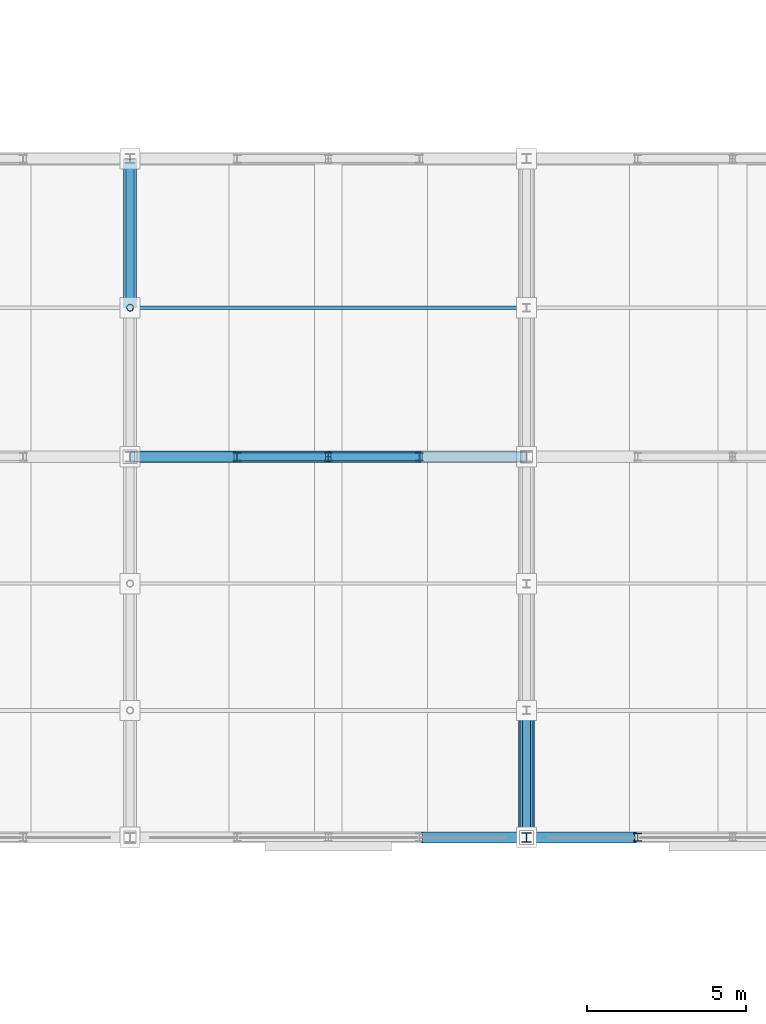
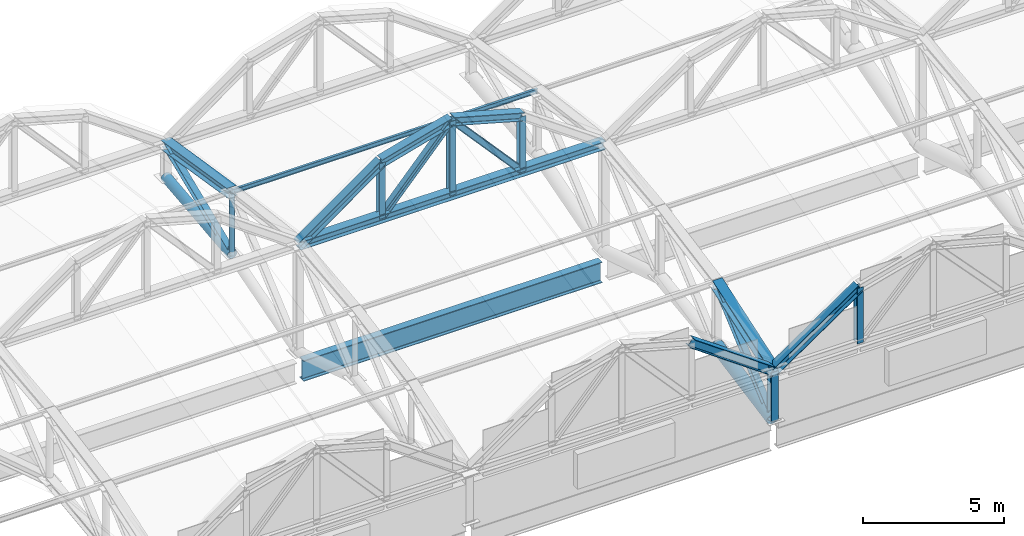
# One storey, part 21 of 117: 21 members, 1 beam.
"""IFC4 building model written with IfcOpenShell, lengths in metres."""

from ifc_helpers import new_model, si_unit, direction, frame, origin, origin_2d, place, context, subcontext, project, spatial, hollow_circle, i_section, extrude, material, material_profile, profile_set, type_object, element, save


model = new_model("IFC4")

# Units and contexts
model_context = context("Model", 3, precision=1e-05, world=origin(), true_north=direction((0.0, 1.0)))
body_context = subcontext(model_context, "Body", "Model", "MODEL_VIEW")
ifc_project = project(units=[si_unit("LENGTHUNIT", "METRE"), si_unit("AREAUNIT", "SQUARE_METRE"), si_unit("VOLUMEUNIT", "CUBIC_METRE"), si_unit("PLANEANGLEUNIT", "RADIAN"), si_unit("MASSUNIT", "GRAM", prefix="KILO")], contexts=[model_context])

# Site, building, storey
site_placement = place(None, origin())
site = spatial("IfcSite", under=ifc_project, at=site_placement, CompositionType="ELEMENT")
building_placement = place(site_placement, origin())
building = spatial("IfcBuilding", under=site, at=building_placement, Name="Kazenohara Klinker Stadium", CompositionType="ELEMENT")
storey_placement = place(building_placement, frame((0.0, 0.0, 31.199951171875)))
storey = spatial("IfcBuildingStorey", under=building, at=storey_placement, Name="RF", CompositionType="ELEMENT", Elevation=31.199951171875)

# Members
ifc_material = material(Name="Steel S355", Category="steel")
ifc_material_profile_1 = material_profile(ifc_material, i_section(OverallWidth=0.25, OverallDepth=0.25, WebThickness=0.009033203125, FlangeThickness=0.013916015625, FilletRadius=0.012939453125, at=origin_2d()), Name="H-250x250x9x14")
ifc_profile_set_1 = profile_set([ifc_material_profile_1], Name="Steel S355")
member_type_1 = type_object("IfcMemberType", Name="MEM-BRC02", PredefinedType="BRACE", material=ifc_profile_set_1)
member_1_placement = place(storey_placement, frame((86.5, 40.699951171875, 1.35009765625), z_axis=(0.0, 0.923659284192, 0.383214726655), x_axis=(-1.0, 0.0, 0.0)))
element("IfcMember", 1, at=member_1_placement, inside=storey, type_object=member_type_1, Name="ROOF TRUSS RT-S03 web diagonal 5", PredefinedType="BRACE", context=body_context, shape_type="SweptSolid", body=[
    extrude(i_section(OverallWidth=0.25, OverallDepth=0.25, WebThickness=0.009033203125, FlangeThickness=0.013916015625, FilletRadius=0.012939453125, at=origin_2d()), origin(), (0.0, 0.0, 1.0), 5.08837890625),
])
member_2_placement = place(storey_placement, frame((99.0, 24.0, -0.02001953125), z_axis=(0.0, 0.755380190588, 0.655286782765), x_axis=(-1.0, 0.0, 0.0)))
element("IfcMember", 2, at=member_2_placement, inside=storey, type_object=member_type_1, Name="ROOF TRUSS RT-S04 web diagonal 1", PredefinedType="BRACE", context=body_context, shape_type="SweptSolid", body=[
    extrude(i_section(OverallWidth=0.25, OverallDepth=0.25, WebThickness=0.009033203125, FlangeThickness=0.013916015625, FilletRadius=0.012939453125, at=origin_2d()), origin(), (0.0, 0.0, 1.0), 5.29541015625),
])
ifc_material_profile_2 = material_profile(ifc_material, i_section(OverallWidth=0.39990234375, OverallDepth=0.39990234375, WebThickness=0.012939453125, FlangeThickness=0.02099609375, FilletRadius=0.02197265625, at=origin_2d()), Name="H-400x400x13x21")
ifc_profile_set_2 = profile_set([ifc_material_profile_2], Name="Steel S355")
member_type_2 = type_object("IfcMemberType", Name="MEM-CHD01", PredefinedType="CHORD", material=ifc_profile_set_2)
member_3_placement = place(storey_placement, frame((86.5, 40.699951171875, 4.050048828125), z_axis=(0.0, 0.987505848374, -0.157582357602), x_axis=(-1.0, 0.0, 0.0)))
element("IfcMember", 3, at=member_3_placement, inside=storey, type_object=member_type_2, Name="ROOF TRUSS RT-S03 top arched chord 5", PredefinedType="CHORD", context=body_context, shape_type="SweptSolid", body=[
    extrude(i_section(OverallWidth=0.39990234375, OverallDepth=0.39990234375, WebThickness=0.012939453125, FlangeThickness=0.02099609375, FilletRadius=0.02197265625, at=origin_2d()), origin(), (0.0, 0.0, 1.0), 4.759521484375),
])
member_4_placement = place(storey_placement, frame((99.0, 24.0, 2.10009765625), z_axis=(0.0, 0.947502791724, 0.319747493618), x_axis=(-1.0, 0.0, 0.0)))
element("IfcMember", 4, at=member_4_placement, inside=storey, type_object=member_type_2, Name="ROOF TRUSS RT-S04 top arched chord 1", PredefinedType="CHORD", context=body_context, shape_type="SweptSolid", body=[
    extrude(i_section(OverallWidth=0.39990234375, OverallDepth=0.39990234375, WebThickness=0.012939453125, FlangeThickness=0.02099609375, FilletRadius=0.02197265625, at=origin_2d()), origin(), (0.0, 0.0, 1.0), 4.2216796875),
])
ifc_material_profile_3 = material_profile(ifc_material, i_section(OverallWidth=0.35009765625, OverallDepth=0.35009765625, WebThickness=0.011962890625, FlangeThickness=0.01904296875, FilletRadius=0.012939453125, at=origin_2d()), Name="H-350x350x12x19")
ifc_profile_set_3 = profile_set([ifc_material_profile_3], Name="Steel S355")
member_type_3 = type_object("IfcMemberType", Name="MEM-CHD02", PredefinedType="CHORD", material=ifc_profile_set_3)
member_5_placement = place(storey_placement, frame((95.625, 24.0, 4.5), z_axis=(0.814966461491, 0.0, -0.579508124744), x_axis=(0.0, 1.0, 0.0)))
element("IfcMember", 5, at=member_5_placement, inside=storey, type_object=member_type_3, Name="Barrel arch top rib TC02 S-03-N0-S4", PredefinedType="CHORD", context=body_context, shape_type="SweptSolid", body=[
    extrude(i_section(OverallWidth=0.35009765625, OverallDepth=0.35009765625, WebThickness=0.011962890625, FlangeThickness=0.01904296875, FilletRadius=0.012939453125, at=origin_2d()), origin(), (0.0, 0.0, 1.0), 4.141357421875),
])
member_6_placement = place(storey_placement, frame((86.5, 36.0, 4.650146484375), z_axis=(1.0, 0.0, 0.0), x_axis=(0.0, 1.0, 0.0)))
element("IfcMember", 6, at=member_6_placement, inside=storey, type_object=member_type_3, Name="Barrel arch tie chord TC02 S-03-N3", PredefinedType="CHORD", context=body_context, shape_type="SweptSolid", body=[
    extrude(i_section(OverallWidth=0.35009765625, OverallDepth=0.35009765625, WebThickness=0.011962890625, FlangeThickness=0.01904296875, FilletRadius=0.012939453125, at=origin_2d()), origin(), (0.0, 0.0, 1.0), 12.5),
])
member_7_placement = place(storey_placement, frame((86.5, 36.0, 4.650146484375), z_axis=(0.814966461491, 0.0, 0.579508124744), x_axis=(0.0, 1.0, 0.0)))
element("IfcMember", 7, at=member_7_placement, inside=storey, type_object=member_type_3, Name="Barrel arch top rib TC02 S-03-N3-S1", PredefinedType="CHORD", context=body_context, shape_type="SweptSolid", body=[
    extrude(i_section(OverallWidth=0.35009765625, OverallDepth=0.35009765625, WebThickness=0.011962890625, FlangeThickness=0.01904296875, FilletRadius=0.012939453125, at=origin_2d()), origin(), (0.0, 0.0, 1.0), 4.141357421875),
])
for number, where, z_axis, x_axis, name in (
    (8, (89.875, 36.0, 7.050048828125), (0.963393567269, 0.0, 0.268091093745), (0.0, 1.0, 0.0), "Barrel arch top rib TC02 S-03-N3-S2"),
    (9, (92.75, 36.0, 7.85009765625), (0.963393567269, 0.0, -0.268091093745), (0.0, 1.0, 0.0), "Barrel arch top rib TC02 S-03-N3-S3"),
):
    element("IfcMember", number, at=place(storey_placement, frame(where, z_axis=z_axis, x_axis=x_axis)), inside=storey, type_object=member_type_3, Name=name, PredefinedType="CHORD", context=body_context, shape_type="SweptSolid", body=[
        extrude(i_section(OverallWidth=0.35009765625, OverallDepth=0.35009765625, WebThickness=0.011962890625, FlangeThickness=0.01904296875, FilletRadius=0.012939453125, at=origin_2d()), origin(), (0.0, 0.0, 1.0), 2.984130859375),
    ])
member_8_placement = place(storey_placement, frame((99.0, 24.0, 2.10009765625), z_axis=(0.825491711615, 0.0, 0.56441423977), x_axis=(0.0, 1.0, 0.0)))
element("IfcMember", 10, at=member_8_placement, inside=storey, type_object=member_type_3, Name="Barrel arch top rib TC02 S-04-N0-S1", PredefinedType="CHORD", context=body_context, shape_type="SweptSolid", body=[
    extrude(i_section(OverallWidth=0.35009765625, OverallDepth=0.35009765625, WebThickness=0.011962890625, FlangeThickness=0.01904296875, FilletRadius=0.012939453125, at=origin_2d()), origin(), (0.0, 0.0, 1.0), 4.251953125),
])
ifc_material_profile_4 = material_profile(ifc_material, hollow_circle(Radius=0.203125, WallThickness=0.011962890625, at=origin_2d()), Name="CHS-406.4x12")
ifc_profile_set_4 = profile_set([ifc_material_profile_4], Name="Steel S355")
member_type_4 = type_object("IfcMemberType", Name="MEM-CHD03", PredefinedType="CHORD", material=ifc_profile_set_4)
member_9_placement = place(storey_placement, frame((86.5, 40.699951171875, 1.35009765625), z_axis=(0.0, 0.99438879757, 0.105787141313), x_axis=(-1.0, 0.0, 0.0)))
element("IfcMember", 11, at=member_9_placement, inside=storey, type_object=member_type_4, Name="ROOF TRUSS RT-S03 bottom arched chord 5", PredefinedType="CHORD", context=body_context, shape_type="SweptSolid", body=[
    extrude(hollow_circle(Radius=0.203125, WallThickness=0.011962890625, at=origin_2d()), origin(), (0.0, 0.0, 1.0), 4.7265625),
])
ifc_material_profile_5 = material_profile(ifc_material, hollow_circle(Radius=0.25390625, WallThickness=0.01611328125, at=origin_2d()), Name="CHS-508.0x16")
ifc_profile_set_5 = profile_set([ifc_material_profile_5], Name="Steel S355")
member_type_5 = type_object("IfcMemberType", Name="MEM-CHD04", PredefinedType="CHORD", material=ifc_profile_set_5)
member_10_placement = place(storey_placement, frame((99.0, 24.0, -0.02001953125), z_axis=(0.0, 0.981970519692, 0.189034119819), x_axis=(-1.0, 0.0, 0.0)))
element("IfcMember", 12, at=member_10_placement, inside=storey, type_object=member_type_5, Name="ROOF TRUSS RT-S04 bottom arched chord 1", PredefinedType="CHORD", context=body_context, shape_type="SweptSolid", body=[
    extrude(hollow_circle(Radius=0.25390625, WallThickness=0.01611328125, at=origin_2d()), origin(), (0.0, 0.0, 1.0), 4.073486328125),
])
ifc_material_profile_6 = material_profile(ifc_material, i_section(OverallWidth=0.10009765625, OverallDepth=0.199951171875, WebThickness=0.005615234375, FlangeThickness=0.008056640625, FilletRadius=0.008056640625, at=origin_2d()), Name="H-200x100x5.5x8")
ifc_profile_set_6 = profile_set([ifc_material_profile_6], Name="Steel S355")
member_type_6 = type_object("IfcMemberType", Name="MEM-PUR02", PredefinedType="PURLIN", material=ifc_profile_set_6)
member_11_placement = place(storey_placement, frame((86.5, 40.699951171875, 4.070068359375), z_axis=(1.0, 0.0, 0.0), x_axis=(0.0, 1.0, 0.0)))
element("IfcMember", 13, at=member_11_placement, inside=storey, type_object=member_type_6, Name="Canopy valley tie purlin PR02 S-03-N4", PredefinedType="PURLIN", context=body_context, shape_type="SweptSolid", body=[
    extrude(i_section(OverallWidth=0.10009765625, OverallDepth=0.199951171875, WebThickness=0.005615234375, FlangeThickness=0.008056640625, FilletRadius=0.008056640625, at=origin_2d()), origin(), (0.0, 0.0, 1.0), 12.5),
])
ifc_material_profile_7 = material_profile(ifc_material, i_section(OverallWidth=0.300048828125, OverallDepth=0.300048828125, WebThickness=0.010009765625, FlangeThickness=0.014892578125, FilletRadius=0.012939453125, at=origin_2d()), Name="H-300x300x10x15")
ifc_profile_set_7 = profile_set([ifc_material_profile_7], Name="Steel S355")
member_type_7 = type_object("IfcMemberType", Name="MEM-STR01", PredefinedType="STRUT", material=ifc_profile_set_7)
member_12_placement = place(storey_placement, frame((99.0, 24.0, -0.02001953125), z_axis=(0.0, 0.0, 1.0), x_axis=(1.0, 0.0, 0.0)))
element("IfcMember", 14, at=member_12_placement, inside=storey, type_object=member_type_7, Name="ROOF TRUSS RT-S04 web post 1", PredefinedType="STRUT", context=body_context, shape_type="SweptSolid", body=[
    extrude(i_section(OverallWidth=0.300048828125, OverallDepth=0.300048828125, WebThickness=0.010009765625, FlangeThickness=0.014892578125, FilletRadius=0.012939453125, at=origin_2d()), origin(), (0.0, 0.0, 1.0), 2.1201171875),
])
ifc_material_profile_8 = material_profile(ifc_material, i_section(OverallWidth=0.25, OverallDepth=0.25, WebThickness=0.009033203125, FlangeThickness=0.013916015625, FilletRadius=0.012939453125, at=origin_2d()), Name="H-250x250x9x14")
ifc_profile_set_8 = profile_set([ifc_material_profile_8], Name="Steel S355")
member_type_8 = type_object("IfcMemberType", Name="MEM-STR02", PredefinedType="STRUT", material=ifc_profile_set_8)
member_13_placement = place(storey_placement, frame((89.875, 36.0, 4.650146484375), z_axis=(0.0, 0.0, 1.0), x_axis=(1.0, 0.0, 0.0)))
element("IfcMember", 15, at=member_13_placement, inside=storey, type_object=member_type_8, Name="Barrel arch web post TS02 S-03-N3-P1", PredefinedType="STRUT", context=body_context, shape_type="SweptSolid", body=[
    extrude(i_section(OverallWidth=0.25, OverallDepth=0.25, WebThickness=0.009033203125, FlangeThickness=0.013916015625, FilletRadius=0.012939453125, at=origin_2d()), origin(), (0.0, 0.0, 1.0), 2.39990234375),
])
member_14_placement = place(storey_placement, frame((92.75, 36.0, 4.650146484375), z_axis=(0.0, 0.0, 1.0), x_axis=(1.0, 0.0, 0.0)))
element("IfcMember", 16, at=member_14_placement, inside=storey, type_object=member_type_8, Name="Barrel arch web post TS02 S-03-N3-P2", PredefinedType="STRUT", context=body_context, shape_type="SweptSolid", body=[
    extrude(i_section(OverallWidth=0.25, OverallDepth=0.25, WebThickness=0.009033203125, FlangeThickness=0.013916015625, FilletRadius=0.012939453125, at=origin_2d()), origin(), (0.0, 0.0, 1.0), 3.199951171875),
])
member_15_placement = place(storey_placement, frame((95.625, 36.0, 4.650146484375), z_axis=(0.0, 0.0, 1.0), x_axis=(1.0, 0.0, 0.0)))
element("IfcMember", 17, at=member_15_placement, inside=storey, type_object=member_type_8, Name="Barrel arch web post TS02 S-03-N3-P3", PredefinedType="STRUT", context=body_context, shape_type="SweptSolid", body=[
    extrude(i_section(OverallWidth=0.25, OverallDepth=0.25, WebThickness=0.009033203125, FlangeThickness=0.013916015625, FilletRadius=0.012939453125, at=origin_2d()), origin(), (0.0, 0.0, 1.0), 2.39990234375),
])
for number, where, z_axis, x_axis, name in (
    (18, (89.875, 36.0, 4.650146484375), (0.668327970369, 0.0, 0.74386673808), (0.0, 1.0, 0.0), "Barrel arch web diagonal TS02 S-03-N3-D1"),
    (19, (95.625, 36.0, 4.650146484375), (-0.668327970369, 0.0, 0.74386673808), (0.0, -1.0, 0.0), "Barrel arch web diagonal TS02 S-03-N3-D2"),
):
    element("IfcMember", number, at=place(storey_placement, frame(where, z_axis=z_axis, x_axis=x_axis)), inside=storey, type_object=member_type_8, Name=name, PredefinedType="STRUT", context=body_context, shape_type="SweptSolid", body=[
        extrude(i_section(OverallWidth=0.25, OverallDepth=0.25, WebThickness=0.009033203125, FlangeThickness=0.013916015625, FilletRadius=0.012939453125, at=origin_2d()), origin(), (0.0, 0.0, 1.0), 4.3017578125),
    ])
member_16_placement = place(storey_placement, frame((102.510009765625, 24.0, 2.10009765625), z_axis=(0.0, 0.0, 1.0), x_axis=(1.0, 0.0, 0.0)))
element("IfcMember", 20, at=member_16_placement, inside=storey, type_object=member_type_8, Name="Barrel arch web post TS02 S-04-N0-P1", PredefinedType="STRUT", context=body_context, shape_type="SweptSolid", body=[
    extrude(i_section(OverallWidth=0.25, OverallDepth=0.25, WebThickness=0.009033203125, FlangeThickness=0.013916015625, FilletRadius=0.012939453125, at=origin_2d()), origin(), (0.0, 0.0, 1.0), 2.39990234375),
])
ifc_material_profile_9 = material_profile(ifc_material, hollow_circle(Radius=0.108154296875, WallThickness=0.008056640625, at=origin_2d()), Name="CHS-216.3x8")
ifc_profile_set_9 = profile_set([ifc_material_profile_9], Name="Steel S355")
member_type_9 = type_object("IfcMemberType", Name="MEM-STR04", PredefinedType="STRUT", material=ifc_profile_set_9)
member_17_placement = place(storey_placement, frame((86.5, 40.699951171875, 1.35009765625), z_axis=(0.0, 0.0, 1.0), x_axis=(1.0, 0.0, 0.0)))
element("IfcMember", 21, at=member_17_placement, inside=storey, type_object=member_type_9, Name="ROOF TRUSS RT-S03 web post 5", PredefinedType="STRUT", context=body_context, shape_type="SweptSolid", body=[
    extrude(hollow_circle(Radius=0.108154296875, WallThickness=0.008056640625, at=origin_2d()), origin(), (0.0, 0.0, 1.0), 2.699951171875),
])

# Beam
ifc_material_profile_10 = material_profile(ifc_material, i_section(OverallWidth=0.300048828125, OverallDepth=0.89990234375, WebThickness=0.01611328125, FlangeThickness=0.028076171875, FilletRadius=0.02197265625, at=origin_2d()), Name="H-900x300x16x28")
ifc_profile_set_10 = profile_set([ifc_material_profile_10], Name="Steel S355")
beam_type = type_object("IfcBeamType", Name="RING-RB01", PredefinedType="USERDEFINED", material=ifc_profile_set_10)
beam_placement = place(storey_placement, frame((86.639892578125, 36.0, -0.820068359375), z_axis=(1.0, 0.0, 0.0), x_axis=(0.0, 1.0, 0.0)))
element("IfcBeam", 22, at=beam_placement, inside=storey, type_object=beam_type, Name="Roof ring beam RB01 S-IN 8-9", ObjectType="RING BEAM", PredefinedType="USERDEFINED", context=body_context, shape_type="SweptSolid", body=[
    extrude(i_section(OverallWidth=0.300048828125, OverallDepth=0.89990234375, WebThickness=0.01611328125, FlangeThickness=0.028076171875, FilletRadius=0.02197265625, at=origin_2d()), origin(), (0.0, 0.0, 1.0), 12.22021484375),
])

save(model, "model.ifc")
